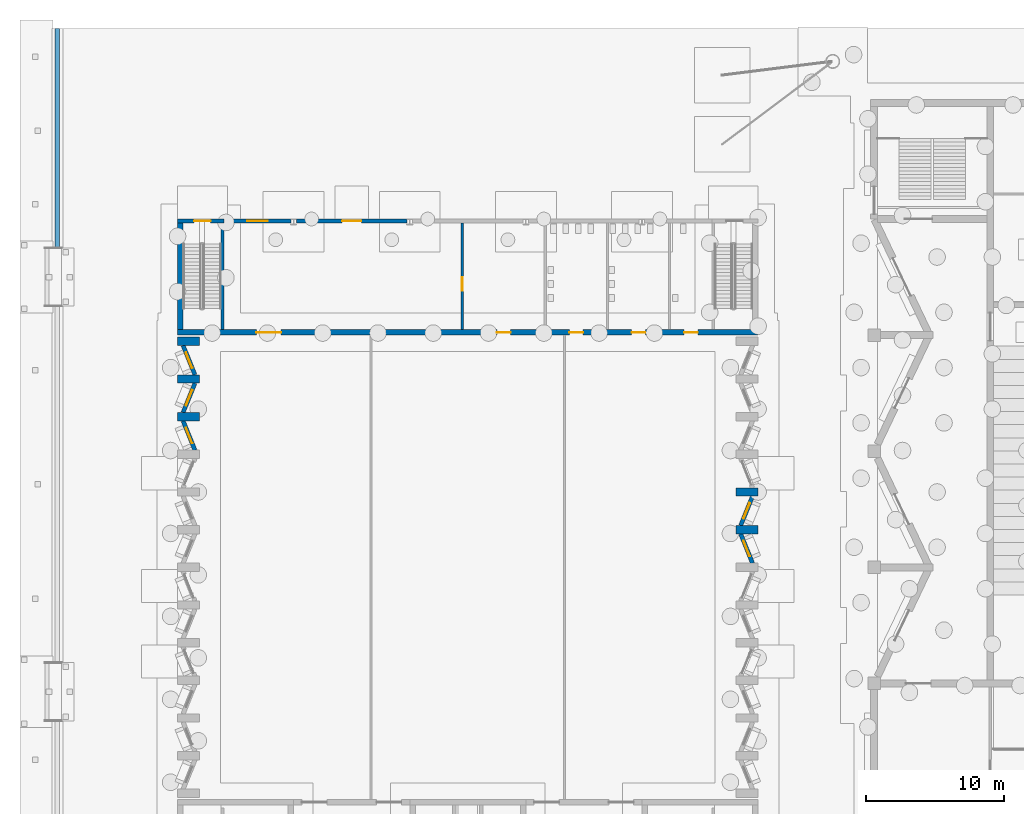
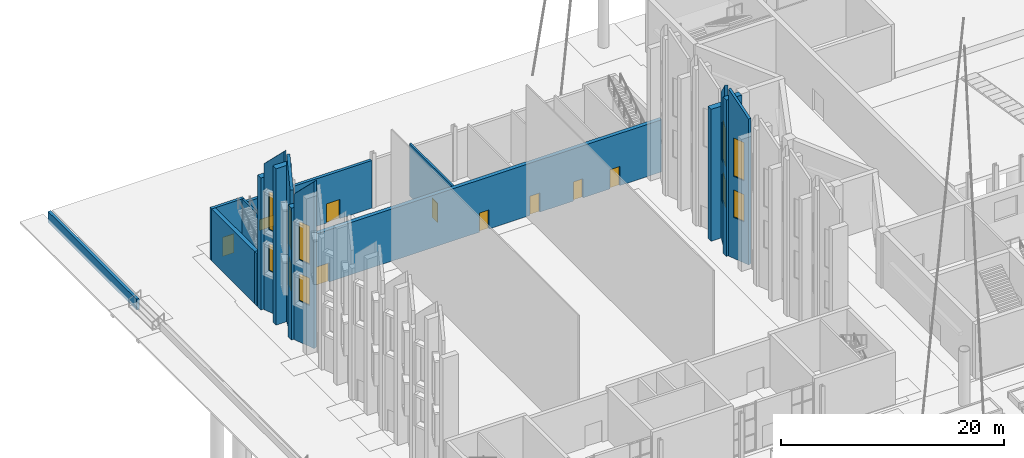
# One storey, part 64 of 108: 18 walls, 11 windows, 8 doors, 19 openings.
"""IFC4 building model written with IfcOpenShell, lengths in metres."""

from ifc_helpers import new_model, si_unit, direction, frame, frame_2d, origin, place, context, subcontext, project, spatial, polyline, rectangle, outline, extrude, material, layer, layer_set, type_object, element, fill, save


model = new_model("IFC4")

# Units and contexts
model_context = context("Model", 3, precision=1e-05, world=origin(), true_north=direction((0.0, 1.0)))
body_context = subcontext(model_context, "Body", "Model", "MODEL_VIEW")
ifc_project = project(units=[si_unit("LENGTHUNIT", "METRE"), si_unit("AREAUNIT", "SQUARE_METRE"), si_unit("VOLUMEUNIT", "CUBIC_METRE"), si_unit("PLANEANGLEUNIT", "RADIAN"), si_unit("MASSUNIT", "GRAM", prefix="KILO")], contexts=[model_context])

# Site, building, storey
site_placement = place(None, origin())
site = spatial("IfcSite", under=ifc_project, at=site_placement, CompositionType="ELEMENT")
building_placement = place(site_placement, origin())
building = spatial("IfcBuilding", under=site, at=building_placement, Name="Cresset Court Congress Hotel", CompositionType="ELEMENT")
storey_placement = place(building_placement, origin())
storey = spatial("IfcBuildingStorey", under=building, at=storey_placement, Name="L00", CompositionType="ELEMENT", Elevation=0.0)

# Wall, opening, door
ifc_material_1 = material(Name="Masonry block and plaster", Category="masonry")
ifc_layer_1 = layer(ifc_material_1, 0.199951171875)
ifc_layer_set_1 = layer_set([ifc_layer_1], Name="Fire partition 200")
wall_type_1 = type_object("IfcWallType", Name="Fire partition 200", PredefinedType="PARTITIONING", material=ifc_layer_set_1)
wall_1_placement = place(storey_placement, frame((29.0, 101.199951171875, 0.0), z_axis=(0.0, 0.0, 1.0), x_axis=(0.0, 1.0, 0.0)))
wall_1 = element("IfcWall", 1, at=wall_1_placement, inside=storey, type_object=wall_type_1, Name="Partition 29", PredefinedType="PARTITIONING", context=body_context, shape_type="SweptSolid", body=[
    extrude(rectangle(XDim=7.699951171875, YDim=0.199951171875, at=frame_2d((3.85009765625, 0.0))), origin(), (0.0, 0.0, 1.0), 5.719970703125),
])
opening_1_placement = place(wall_1_placement, frame((2.800048828125, 0.0, 0.0)))
opening_1 = element("IfcOpeningElement", 2, at=opening_1_placement, cuts=wall_1, Name="Opening DD-00-32", PredefinedType="OPENING", context=body_context, shape_type="SweptSolid", body=[
    extrude(rectangle(XDim=1.0, YDim=2.10009765625, at=frame_2d((0.5, 1.050048828125))), frame((0.0, 0.10986328125, 0.0), z_axis=(0.0, -1.0, 0.0), x_axis=(1.0, 0.0, 0.0)), (0.0, 0.0, 1.0), 0.219970703125),
])
ifc_material_2 = material(Name="Timber door leaf", Category="wood")
door_type_1 = type_object("IfcDoorType", Name="Room door 1000x2100", OperationType="SINGLE_SWING_LEFT", PredefinedType="DOOR", material=ifc_material_2)
door_1_placement = place(opening_1_placement, origin())
door_1 = element("IfcDoor", 3, at=door_1_placement, inside=storey, type_object=door_type_1, Name="Room door DD-00-32", OperationType="SINGLE_SWING_LEFT", OverallHeight=2.10009765625, OverallWidth=1.0, PredefinedType="DOOR", context=body_context, shape_type="SweptSolid", body=[
    extrude(rectangle(XDim=1.0, YDim=2.10009765625, at=frame_2d((0.5, 1.050048828125))), frame((0.0, 0.02490234375, 0.0), z_axis=(0.0, -1.0, 0.0), x_axis=(1.0, 0.0, 0.0)), (0.0, 0.0, 1.0), 0.050048828125),
])
fill(opening_1, door_1)

# Wall
ifc_material_3 = material(Name="Concrete C35", Category="concrete")
ifc_layer_2 = layer(ifc_material_3, 0.300048828125)
ifc_layer_set_2 = layer_set([ifc_layer_2], Name="Plinth wall 300")
wall_type_2 = type_object("IfcWallType", Name="Plinth wall 300", PredefinedType="SOLIDWALL", material=ifc_layer_set_2)
wall_2_placement = place(storey_placement, frame((-0.300048828125, 107.10009765625, -1.199951171875), z_axis=(0.0, 0.0, 1.0), x_axis=(0.0, 1.0, 0.0)))
element("IfcWall", 4, at=wall_2_placement, inside=storey, type_object=wall_type_2, Name="S.wall.L00.PW03", PredefinedType="SOLIDWALL", context=body_context, shape_type="SweptSolid", body=[
    extrude(rectangle(XDim=15.89990234375, YDim=0.300048828125, at=frame_2d((7.949951171875, 0.0))), origin(), (0.0, 0.0, 1.0), 1.199951171875),
])

# Wall, opening, door
ifc_material_4 = material(Name="Precast concrete C50", Category="concrete")
ifc_layer_3 = layer(ifc_material_4, 0.300048828125)
ifc_layer_set_3 = layer_set([ifc_layer_3], Name="Precast external wall 300 C50")
wall_type_3 = type_object("IfcWallType", Name="Precast external wall 300 C50", PredefinedType="SOLIDWALL", material=ifc_layer_set_3)
wall_3_placement = place(storey_placement, frame((8.39990234375, 109.050048828125, 0.0), z_axis=(0.0, 0.0, 1.0), x_axis=(1.0, 0.0, 0.0)))
wall_3 = element("IfcWall", 5, at=wall_3_placement, inside=storey, type_object=wall_type_3, Name="North external wall L00 1", PredefinedType="SOLIDWALL", context=body_context, shape_type="SweptSolid", body=[
    extrude(rectangle(XDim=3.35009765625, YDim=0.300048828125, at=frame_2d((1.675048828125, 0.0))), origin(), (0.0, 0.0, 1.0), 5.719970703125),
])
opening_2_placement = place(wall_3_placement, frame((1.199951171875, 0.0, 0.0)))
opening_2 = element("IfcOpeningElement", 6, at=opening_2_placement, cuts=wall_3, Name="Opening DD-00-03", PredefinedType="OPENING", context=body_context, shape_type="SweptSolid", body=[
    extrude(rectangle(XDim=1.199951171875, YDim=2.10009765625, at=frame_2d((0.60009765625, 1.050048828125))), frame((0.0, 0.159912109375, 0.0), z_axis=(0.0, -1.0, 0.0), x_axis=(1.0, 0.0, 0.0)), (0.0, 0.0, 1.0), 0.320068359375),
])
ifc_material_5 = material(Name="Timber door leaf", Category="wood")
door_type_2 = type_object("IfcDoorType", Name="Exit door 1200x2100", OperationType="SINGLE_SWING_LEFT", PredefinedType="DOOR", material=ifc_material_5)
door_2_placement = place(opening_2_placement, origin())
door_2 = element("IfcDoor", 7, at=door_2_placement, inside=storey, type_object=door_type_2, Name="Exit door DD-00-03", OperationType="SINGLE_SWING_LEFT", OverallHeight=2.10009765625, OverallWidth=1.199951171875, PredefinedType="DOOR", context=body_context, shape_type="SweptSolid", body=[
    extrude(rectangle(XDim=1.199951171875, YDim=2.10009765625, at=frame_2d((0.60009765625, 1.050048828125))), frame((0.0, 0.02490234375, 0.0), z_axis=(0.0, -1.0, 0.0), x_axis=(1.0, 0.0, 0.0)), (0.0, 0.0, 1.0), 0.050048828125),
])
fill(opening_2, door_2)

# Wall, opening, window
wall_4_placement = place(storey_placement, frame((11.75, 109.050048828125, 0.0), z_axis=(0.0, 0.0, 1.0), x_axis=(1.0, 0.0, 0.0)))
wall_4 = element("IfcWall", 8, at=wall_4_placement, inside=storey, type_object=wall_type_3, Name="North external wall L00 2", PredefinedType="SOLIDWALL", context=body_context, shape_type="SweptSolid", body=[
    extrude(rectangle(XDim=4.85009765625, YDim=0.300048828125, at=frame_2d((2.425048828125, 0.0))), origin(), (0.0, 0.0, 1.0), 5.219970703125),
])
opening_3_placement = place(wall_4_placement, frame((1.675048828125, 0.0, 1.5)))
opening_3 = element("IfcOpeningElement", 9, at=opening_3_placement, cuts=wall_4, Name="Opening ND-00-01", PredefinedType="OPENING", context=body_context, shape_type="SweptSolid", body=[
    extrude(rectangle(XDim=1.5, YDim=1.199951171875, at=frame_2d((0.75, 0.60009765625))), frame((0.0, 0.159912109375, 0.0), z_axis=(0.0, -1.0, 0.0), x_axis=(1.0, 0.0, 0.0)), (0.0, 0.0, 1.0), 0.320068359375),
])
ifc_material_6 = material(Name="Aluminium frame with insulated glass", Category="aluminium")
window_type_1 = type_object("IfcWindowType", Name="Window 1500x1200", PartitioningType="SINGLE_PANEL", PredefinedType="WINDOW", material=ifc_material_6)
window_1_placement = place(opening_3_placement, origin())
window_1 = element("IfcWindow", 10, at=window_1_placement, inside=storey, type_object=window_type_1, Name="Window ND-00-01", OverallHeight=1.199951171875, OverallWidth=1.5, PartitioningType="SINGLE_PANEL", PredefinedType="WINDOW", context=body_context, shape_type="SweptSolid", body=[
    extrude(rectangle(XDim=1.5, YDim=1.199951171875, at=frame_2d((0.75, 0.60009765625))), frame((0.0, 0.030029296875, 0.0), z_axis=(0.0, -1.0, 0.0), x_axis=(1.0, 0.0, 0.0)), (0.0, 0.0, 1.0), 0.06005859375),
])
fill(opening_3, window_1)

# Wall, opening, door
wall_5_placement = place(storey_placement, frame((17.0, 109.050048828125, 0.0), z_axis=(0.0, 0.0, 1.0), x_axis=(1.0, 0.0, 0.0)))
wall_5 = element("IfcWall", 11, at=wall_5_placement, inside=storey, type_object=wall_type_3, Name="North external wall L00 3", PredefinedType="SOLIDWALL", context=body_context, shape_type="SweptSolid", body=[
    extrude(rectangle(XDim=8.0, YDim=0.300048828125, at=frame_2d((4.0, 0.0))), origin(), (0.0, 0.0, 1.0), 5.219970703125),
])
opening_4_placement = place(wall_5_placement, frame((3.300048828125, 0.0, 0.0)))
opening_4 = element("IfcOpeningElement", 12, at=opening_4_placement, cuts=wall_5, Name="Opening DD-00-04", PredefinedType="OPENING", context=body_context, shape_type="SweptSolid", body=[
    extrude(rectangle(XDim=1.39990234375, YDim=2.10009765625, at=frame_2d((0.699951171875, 1.050048828125))), frame((0.0, 0.159912109375, 0.0), z_axis=(0.0, -1.0, 0.0), x_axis=(1.0, 0.0, 0.0)), (0.0, 0.0, 1.0), 0.320068359375),
])
ifc_material_7 = material(Name="Timber door leaf", Category="wood")
door_type_3 = type_object("IfcDoorType", Name="Service double door 1400x2100", OperationType="DOUBLE_DOOR_SINGLE_SWING", PredefinedType="DOOR", material=ifc_material_7)
door_3_placement = place(opening_4_placement, origin())
door_3 = element("IfcDoor", 13, at=door_3_placement, inside=storey, type_object=door_type_3, Name="Service double door DD-00-04", OperationType="DOUBLE_DOOR_SINGLE_SWING", OverallHeight=2.10009765625, OverallWidth=1.39990234375, PredefinedType="DOOR", context=body_context, shape_type="SweptSolid", body=[
    extrude(rectangle(XDim=1.39990234375, YDim=2.10009765625, at=frame_2d((0.699951171875, 1.050048828125))), frame((0.0, 0.02490234375, 0.0), z_axis=(0.0, -1.0, 0.0), x_axis=(1.0, 0.0, 0.0)), (0.0, 0.0, 1.0), 0.050048828125),
])
fill(opening_4, door_3)

# Wall, openings, windows
ifc_material_8 = material(Name="Limestone-faced precast concrete C50", Category="masonry")
ifc_layer_4 = layer(ifc_material_8, 0.300048828125)
ifc_layer_set_4 = layer_set([ifc_layer_4], Name="Precast folded wall panel 300 C50")
wall_type_4 = type_object("IfcWallType", Name="Precast folded wall panel 300 C50", PredefinedType="SOLIDWALL", material=ifc_layer_set_4)
wall_6_placement = place(storey_placement, frame((9.65869140625, 92.47509765625, 0.0), z_axis=(0.0, 0.0, 1.0), x_axis=(-0.37463916886, 0.927170692567, 0.0)))
wall_6 = element("IfcWall", 14, at=wall_6_placement, inside=storey, type_object=wall_type_4, Name="Folded wall panel W10", PredefinedType="SOLIDWALL", context=body_context, shape_type="SweptSolid", body=[
    extrude(outline(polyline([(0.0, 0.0), (2.2919921875, 0.0), (2.2919921875, 15.972900390625), (0.0, 18.312255859375), (0.0, 0.0)])), frame((0.0, 0.14990234375, 0.0), z_axis=(0.0, -1.0, 0.0), x_axis=(1.0, 0.0, 0.0)), (0.0, 0.0, 1.0), 0.300048828125),
])
opening_5_placement = place(wall_6_placement, frame((0.5458984375, 0.0, 4.5)))
opening_5 = element("IfcOpeningElement", 15, at=opening_5_placement, cuts=wall_6, Name="Opening ND-00-17", PredefinedType="OPENING", context=body_context, shape_type="SweptSolid", body=[
    extrude(rectangle(XDim=1.199951171875, YDim=3.0, at=frame_2d((0.60009765625, 1.5))), frame((0.0, 0.159912109375, 0.0), z_axis=(0.0, -1.0, 0.0), x_axis=(1.0, 0.0, 0.0)), (0.0, 0.0, 1.0), 0.320068359375),
])
opening_6_placement = place(wall_6_placement, frame((0.5458984375, 0.0, 9.0)))
opening_6 = element("IfcOpeningElement", 16, at=opening_6_placement, cuts=wall_6, Name="Opening ND-00-18", PredefinedType="OPENING", context=body_context, shape_type="SweptSolid", body=[
    extrude(rectangle(XDim=1.199951171875, YDim=4.199951171875, at=frame_2d((0.60009765625, 2.10009765625))), frame((0.0, 0.159912109375, 0.0), z_axis=(0.0, -1.0, 0.0), x_axis=(1.0, 0.0, 0.0)), (0.0, 0.0, 1.0), 0.320068359375),
])
ifc_material_9 = material(Name="Aluminium frame with double glazing", Category="aluminium")
window_type_2 = type_object("IfcWindowType", Name="Window 1200x3000", PartitioningType="TRIPLE_PANEL_VERTICAL", PredefinedType="WINDOW", material=ifc_material_9)
window_2_placement = place(opening_5_placement, origin())
window_2 = element("IfcWindow", 17, at=window_2_placement, inside=storey, type_object=window_type_2, Name="Window ND-00-17", OverallHeight=3.0, OverallWidth=1.199951171875, PartitioningType="TRIPLE_PANEL_VERTICAL", PredefinedType="WINDOW", context=body_context, shape_type="SweptSolid", body=[
    extrude(rectangle(XDim=1.199951171875, YDim=3.0, at=frame_2d((0.60009765625, 1.5))), frame((0.0, 0.030029296875, 0.0), z_axis=(0.0, -1.0, 0.0), x_axis=(1.0, 0.0, 0.0)), (0.0, 0.0, 1.0), 0.06005859375),
])
fill(opening_5, window_2)
ifc_material_10 = material(Name="Aluminium frame with double glazing", Category="aluminium")
window_type_3 = type_object("IfcWindowType", Name="Window 1200x4200", PartitioningType="TRIPLE_PANEL_VERTICAL", PredefinedType="WINDOW", material=ifc_material_10)
window_3_placement = place(opening_6_placement, origin())
window_3 = element("IfcWindow", 18, at=window_3_placement, inside=storey, type_object=window_type_3, Name="Window ND-00-18", OverallHeight=4.199951171875, OverallWidth=1.199951171875, PartitioningType="TRIPLE_PANEL_VERTICAL", PredefinedType="WINDOW", context=body_context, shape_type="SweptSolid", body=[
    extrude(rectangle(XDim=1.199951171875, YDim=4.199951171875, at=frame_2d((0.60009765625, 2.10009765625))), frame((0.0, 0.030029296875, 0.0), z_axis=(0.0, -1.0, 0.0), x_axis=(1.0, 0.0, 0.0)), (0.0, 0.0, 1.0), 0.06005859375),
])
fill(opening_6, window_3)

wall_7_placement = place(storey_placement, frame((8.800048828125, 95.199951171875, 0.0), z_axis=(0.0, 0.0, 1.0), x_axis=(0.37463916886, 0.927170692567, 0.0)))
wall_7 = element("IfcWall", 19, at=wall_7_placement, inside=storey, type_object=wall_type_4, Name="Folded wall panel W11", PredefinedType="SOLIDWALL", context=body_context, shape_type="SweptSolid", body=[
    extrude(outline(polyline([(0.0, 0.0), (2.2919921875, 0.0), (2.2919921875, 18.312255859375), (0.0, 15.972900390625), (0.0, 0.0)])), frame((0.0, 0.14990234375, 0.0), z_axis=(0.0, -1.0, 0.0), x_axis=(1.0, 0.0, 0.0)), (0.0, 0.0, 1.0), 0.300048828125),
])
opening_7_placement = place(wall_7_placement, frame((0.5458984375, 0.0, 4.5)))
opening_7 = element("IfcOpeningElement", 20, at=opening_7_placement, cuts=wall_7, Name="Opening ND-00-19", PredefinedType="OPENING", context=body_context, shape_type="SweptSolid", body=[
    extrude(rectangle(XDim=1.199951171875, YDim=3.0, at=frame_2d((0.60009765625, 1.5))), frame((0.0, 0.159912109375, 0.0), z_axis=(0.0, -1.0, 0.0), x_axis=(1.0, 0.0, 0.0)), (0.0, 0.0, 1.0), 0.320068359375),
])
opening_8_placement = place(wall_7_placement, frame((0.5458984375, 0.0, 9.0)))
opening_8 = element("IfcOpeningElement", 21, at=opening_8_placement, cuts=wall_7, Name="Opening ND-00-20", PredefinedType="OPENING", context=body_context, shape_type="SweptSolid", body=[
    extrude(rectangle(XDim=1.199951171875, YDim=4.199951171875, at=frame_2d((0.60009765625, 2.10009765625))), frame((0.0, 0.159912109375, 0.0), z_axis=(0.0, -1.0, 0.0), x_axis=(1.0, 0.0, 0.0)), (0.0, 0.0, 1.0), 0.320068359375),
])
window_4_placement = place(opening_7_placement, origin())
window_4 = element("IfcWindow", 22, at=window_4_placement, inside=storey, type_object=window_type_2, Name="Window ND-00-19", OverallHeight=3.0, OverallWidth=1.199951171875, PartitioningType="TRIPLE_PANEL_VERTICAL", PredefinedType="WINDOW", context=body_context, shape_type="SweptSolid", body=[
    extrude(rectangle(XDim=1.199951171875, YDim=3.0, at=frame_2d((0.60009765625, 1.5))), frame((0.0, 0.030029296875, 0.0), z_axis=(0.0, -1.0, 0.0), x_axis=(1.0, 0.0, 0.0)), (0.0, 0.0, 1.0), 0.06005859375),
])
fill(opening_7, window_4)
window_5_placement = place(opening_8_placement, origin())
window_5 = element("IfcWindow", 23, at=window_5_placement, inside=storey, type_object=window_type_3, Name="Window ND-00-20", OverallHeight=4.199951171875, OverallWidth=1.199951171875, PartitioningType="TRIPLE_PANEL_VERTICAL", PredefinedType="WINDOW", context=body_context, shape_type="SweptSolid", body=[
    extrude(rectangle(XDim=1.199951171875, YDim=4.199951171875, at=frame_2d((0.60009765625, 2.10009765625))), frame((0.0, 0.030029296875, 0.0), z_axis=(0.0, -1.0, 0.0), x_axis=(1.0, 0.0, 0.0)), (0.0, 0.0, 1.0), 0.06005859375),
])
fill(opening_8, window_5)

wall_8_placement = place(storey_placement, frame((9.65869140625, 97.925048828125, 0.0), z_axis=(0.0, 0.0, 1.0), x_axis=(-0.37463916886, 0.927170692567, 0.0)))
wall_8 = element("IfcWall", 24, at=wall_8_placement, inside=storey, type_object=wall_type_4, Name="Folded wall panel W12", PredefinedType="SOLIDWALL", context=body_context, shape_type="SweptSolid", body=[
    extrude(outline(polyline([(0.0, 0.0), (2.2919921875, 0.0), (2.2919921875, 15.972900390625), (0.0, 18.312255859375), (0.0, 0.0)])), frame((0.0, 0.14990234375, 0.0), z_axis=(0.0, -1.0, 0.0), x_axis=(1.0, 0.0, 0.0)), (0.0, 0.0, 1.0), 0.300048828125),
])
opening_9_placement = place(wall_8_placement, frame((0.5458984375, 0.0, 4.5)))
opening_9 = element("IfcOpeningElement", 25, at=opening_9_placement, cuts=wall_8, Name="Opening ND-00-21", PredefinedType="OPENING", context=body_context, shape_type="SweptSolid", body=[
    extrude(rectangle(XDim=1.199951171875, YDim=3.0, at=frame_2d((0.60009765625, 1.5))), frame((0.0, 0.159912109375, 0.0), z_axis=(0.0, -1.0, 0.0), x_axis=(1.0, 0.0, 0.0)), (0.0, 0.0, 1.0), 0.320068359375),
])
opening_10_placement = place(wall_8_placement, frame((0.5458984375, 0.0, 9.0)))
opening_10 = element("IfcOpeningElement", 26, at=opening_10_placement, cuts=wall_8, Name="Opening ND-00-22", PredefinedType="OPENING", context=body_context, shape_type="SweptSolid", body=[
    extrude(rectangle(XDim=1.199951171875, YDim=4.199951171875, at=frame_2d((0.60009765625, 2.10009765625))), frame((0.0, 0.159912109375, 0.0), z_axis=(0.0, -1.0, 0.0), x_axis=(1.0, 0.0, 0.0)), (0.0, 0.0, 1.0), 0.320068359375),
])
window_6_placement = place(opening_9_placement, origin())
window_6 = element("IfcWindow", 27, at=window_6_placement, inside=storey, type_object=window_type_2, Name="Window ND-00-21", OverallHeight=3.0, OverallWidth=1.199951171875, PartitioningType="TRIPLE_PANEL_VERTICAL", PredefinedType="WINDOW", context=body_context, shape_type="SweptSolid", body=[
    extrude(rectangle(XDim=1.199951171875, YDim=3.0, at=frame_2d((0.60009765625, 1.5))), frame((0.0, 0.030029296875, 0.0), z_axis=(0.0, -1.0, 0.0), x_axis=(1.0, 0.0, 0.0)), (0.0, 0.0, 1.0), 0.06005859375),
])
fill(opening_9, window_6)
window_7_placement = place(opening_10_placement, origin())
window_7 = element("IfcWindow", 28, at=window_7_placement, inside=storey, type_object=window_type_3, Name="Window ND-00-22", OverallHeight=4.199951171875, OverallWidth=1.199951171875, PartitioningType="TRIPLE_PANEL_VERTICAL", PredefinedType="WINDOW", context=body_context, shape_type="SweptSolid", body=[
    extrude(rectangle(XDim=1.199951171875, YDim=4.199951171875, at=frame_2d((0.60009765625, 2.10009765625))), frame((0.0, 0.030029296875, 0.0), z_axis=(0.0, -1.0, 0.0), x_axis=(1.0, 0.0, 0.0)), (0.0, 0.0, 1.0), 0.06005859375),
])
fill(opening_10, window_7)

wall_9_placement = place(storey_placement, frame((50.0, 84.300048828125, 0.0), z_axis=(0.0, 0.0, 1.0), x_axis=(-0.37463916886, 0.927170692567, 0.0)))
wall_9 = element("IfcWall", 29, at=wall_9_placement, inside=storey, type_object=wall_type_4, Name="Folded wall panel E7", PredefinedType="SOLIDWALL", context=body_context, shape_type="SweptSolid", body=[
    extrude(outline(polyline([(0.0, 0.0), (2.2919921875, 0.0), (2.2919921875, 18.312255859375), (0.0, 15.972900390625), (0.0, 0.0)])), frame((0.0, 0.14990234375, 0.0), z_axis=(0.0, -1.0, 0.0), x_axis=(1.0, 0.0, 0.0)), (0.0, 0.0, 1.0), 0.300048828125),
])
opening_11_placement = place(wall_9_placement, frame((0.5458984375, 0.0, 4.5)))
opening_11 = element("IfcOpeningElement", 30, at=opening_11_placement, cuts=wall_9, Name="Opening ND-00-33", PredefinedType="OPENING", context=body_context, shape_type="SweptSolid", body=[
    extrude(rectangle(XDim=1.199951171875, YDim=3.0, at=frame_2d((0.60009765625, 1.5))), frame((0.0, 0.159912109375, 0.0), z_axis=(0.0, -1.0, 0.0), x_axis=(1.0, 0.0, 0.0)), (0.0, 0.0, 1.0), 0.320068359375),
])
opening_12_placement = place(wall_9_placement, frame((0.5458984375, 0.0, 9.0)))
opening_12 = element("IfcOpeningElement", 31, at=opening_12_placement, cuts=wall_9, Name="Opening ND-00-34", PredefinedType="OPENING", context=body_context, shape_type="SweptSolid", body=[
    extrude(rectangle(XDim=1.199951171875, YDim=4.199951171875, at=frame_2d((0.60009765625, 2.10009765625))), frame((0.0, 0.159912109375, 0.0), z_axis=(0.0, -1.0, 0.0), x_axis=(1.0, 0.0, 0.0)), (0.0, 0.0, 1.0), 0.320068359375),
])
window_8_placement = place(opening_11_placement, origin())
window_8 = element("IfcWindow", 32, at=window_8_placement, inside=storey, type_object=window_type_2, Name="Window ND-00-33", OverallHeight=3.0, OverallWidth=1.199951171875, PartitioningType="TRIPLE_PANEL_VERTICAL", PredefinedType="WINDOW", context=body_context, shape_type="SweptSolid", body=[
    extrude(rectangle(XDim=1.199951171875, YDim=3.0, at=frame_2d((0.60009765625, 1.5))), frame((0.0, 0.030029296875, 0.0), z_axis=(0.0, -1.0, 0.0), x_axis=(1.0, 0.0, 0.0)), (0.0, 0.0, 1.0), 0.06005859375),
])
fill(opening_11, window_8)
window_9_placement = place(opening_12_placement, origin())
window_9 = element("IfcWindow", 33, at=window_9_placement, inside=storey, type_object=window_type_3, Name="Window ND-00-34", OverallHeight=4.199951171875, OverallWidth=1.199951171875, PartitioningType="TRIPLE_PANEL_VERTICAL", PredefinedType="WINDOW", context=body_context, shape_type="SweptSolid", body=[
    extrude(rectangle(XDim=1.199951171875, YDim=4.199951171875, at=frame_2d((0.60009765625, 2.10009765625))), frame((0.0, 0.030029296875, 0.0), z_axis=(0.0, -1.0, 0.0), x_axis=(1.0, 0.0, 0.0)), (0.0, 0.0, 1.0), 0.06005859375),
])
fill(opening_12, window_9)

wall_10_placement = place(storey_placement, frame((49.141357421875, 87.02490234375, 0.0), z_axis=(0.0, 0.0, 1.0), x_axis=(0.37463916886, 0.927170692567, 0.0)))
wall_10 = element("IfcWall", 34, at=wall_10_placement, inside=storey, type_object=wall_type_4, Name="Folded wall panel E8", PredefinedType="SOLIDWALL", context=body_context, shape_type="SweptSolid", body=[
    extrude(outline(polyline([(0.0, 0.0), (2.2919921875, 0.0), (2.2919921875, 15.972900390625), (0.0, 18.312255859375), (0.0, 0.0)])), frame((0.0, 0.14990234375, 0.0), z_axis=(0.0, -1.0, 0.0), x_axis=(1.0, 0.0, 0.0)), (0.0, 0.0, 1.0), 0.300048828125),
])
opening_13_placement = place(wall_10_placement, frame((0.5458984375, 0.0, 4.5)))
opening_13 = element("IfcOpeningElement", 35, at=opening_13_placement, cuts=wall_10, Name="Opening ND-00-35", PredefinedType="OPENING", context=body_context, shape_type="SweptSolid", body=[
    extrude(rectangle(XDim=1.199951171875, YDim=3.0, at=frame_2d((0.60009765625, 1.5))), frame((0.0, 0.159912109375, 0.0), z_axis=(0.0, -1.0, 0.0), x_axis=(1.0, 0.0, 0.0)), (0.0, 0.0, 1.0), 0.320068359375),
])
opening_14_placement = place(wall_10_placement, frame((0.5458984375, 0.0, 9.0)))
opening_14 = element("IfcOpeningElement", 36, at=opening_14_placement, cuts=wall_10, Name="Opening ND-00-36", PredefinedType="OPENING", context=body_context, shape_type="SweptSolid", body=[
    extrude(rectangle(XDim=1.199951171875, YDim=4.199951171875, at=frame_2d((0.60009765625, 2.10009765625))), frame((0.0, 0.159912109375, 0.0), z_axis=(0.0, -1.0, 0.0), x_axis=(1.0, 0.0, 0.0)), (0.0, 0.0, 1.0), 0.320068359375),
])
window_10_placement = place(opening_13_placement, origin())
window_10 = element("IfcWindow", 37, at=window_10_placement, inside=storey, type_object=window_type_2, Name="Window ND-00-35", OverallHeight=3.0, OverallWidth=1.199951171875, PartitioningType="TRIPLE_PANEL_VERTICAL", PredefinedType="WINDOW", context=body_context, shape_type="SweptSolid", body=[
    extrude(rectangle(XDim=1.199951171875, YDim=3.0, at=frame_2d((0.60009765625, 1.5))), frame((0.0, 0.030029296875, 0.0), z_axis=(0.0, -1.0, 0.0), x_axis=(1.0, 0.0, 0.0)), (0.0, 0.0, 1.0), 0.06005859375),
])
fill(opening_13, window_10)
window_11_placement = place(opening_14_placement, origin())
window_11 = element("IfcWindow", 38, at=window_11_placement, inside=storey, type_object=window_type_3, Name="Window ND-00-36", OverallHeight=4.199951171875, OverallWidth=1.199951171875, PartitioningType="TRIPLE_PANEL_VERTICAL", PredefinedType="WINDOW", context=body_context, shape_type="SweptSolid", body=[
    extrude(rectangle(XDim=1.199951171875, YDim=4.199951171875, at=frame_2d((0.60009765625, 2.10009765625))), frame((0.0, 0.030029296875, 0.0), z_axis=(0.0, -1.0, 0.0), x_axis=(1.0, 0.0, 0.0)), (0.0, 0.0, 1.0), 0.06005859375),
])
fill(opening_14, window_11)

# Walls
ifc_material_11 = material(Name="Concrete C40", Category="concrete")
ifc_layer_5 = layer(ifc_material_11, 0.60009765625)
ifc_layer_set_5 = layer_set([ifc_layer_5], Name="RC buttress wall 600 C40")
wall_type_5 = type_object("IfcWallType", Name="RC buttress wall 600 C40", PredefinedType="SOLIDWALL", material=ifc_layer_set_5)
wall_11_placement = place(storey_placement, frame((8.39990234375, 94.89990234375, 0.0), z_axis=(0.0, 0.0, 1.0), x_axis=(1.0, 0.0, 0.0)))
element("IfcWall", 39, at=wall_11_placement, inside=storey, type_object=wall_type_5, Name="Buttress W11", PredefinedType="SOLIDWALL", context=body_context, shape_type="SweptSolid", body=[
    extrude(rectangle(XDim=1.60009765625, YDim=0.60009765625, at=frame_2d((0.800048828125, 0.0))), origin(), (0.0, 0.0, 1.0), 14.466796875),
])
wall_12_placement = place(storey_placement, frame((8.39990234375, 97.625, 0.0), z_axis=(0.0, 0.0, 1.0), x_axis=(1.0, 0.0, 0.0)))
element("IfcWall", 40, at=wall_12_placement, inside=storey, type_object=wall_type_5, Name="Buttress W12", PredefinedType="SOLIDWALL", context=body_context, shape_type="SweptSolid", body=[
    extrude(rectangle(XDim=1.60009765625, YDim=0.60009765625, at=frame_2d((0.800048828125, 0.0))), origin(), (0.0, 0.0, 1.0), 17.136474609375),
])
wall_13_placement = place(storey_placement, frame((8.39990234375, 100.35009765625, 0.0), z_axis=(0.0, 0.0, 1.0), x_axis=(1.0, 0.0, 0.0)))
element("IfcWall", 41, at=wall_13_placement, inside=storey, type_object=wall_type_5, Name="Buttress W13", PredefinedType="SOLIDWALL", context=body_context, shape_type="SweptSolid", body=[
    extrude(rectangle(XDim=1.60009765625, YDim=0.60009765625, at=frame_2d((0.800048828125, 0.0))), origin(), (0.0, 0.0, 1.0), 14.466796875),
])
wall_14_placement = place(storey_placement, frame((50.39990234375, 86.72509765625, 0.0), z_axis=(0.0, 0.0, 1.0), x_axis=(-1.0, 0.0, 0.0)))
element("IfcWall", 42, at=wall_14_placement, inside=storey, type_object=wall_type_5, Name="Buttress E8", PredefinedType="SOLIDWALL", context=body_context, shape_type="SweptSolid", body=[
    extrude(rectangle(XDim=1.599853515625, YDim=0.60009765625, at=frame_2d((0.7998046875, 0.0))), origin(), (0.0, 0.0, 1.0), 17.136474609375),
])
wall_15_placement = place(storey_placement, frame((50.39990234375, 89.449951171875, 0.0), z_axis=(0.0, 0.0, 1.0), x_axis=(-1.0, 0.0, 0.0)))
element("IfcWall", 43, at=wall_15_placement, inside=storey, type_object=wall_type_5, Name="Buttress E9", PredefinedType="SOLIDWALL", context=body_context, shape_type="SweptSolid", body=[
    extrude(rectangle(XDim=1.599853515625, YDim=0.60009765625, at=frame_2d((0.7998046875, 0.0))), origin(), (0.0, 0.0, 1.0), 14.466796875),
])
ifc_material_12 = material(Name="Concrete C50", Category="concrete")
ifc_layer_6 = layer(ifc_material_12, 0.39990234375)
ifc_layer_set_6 = layer_set([ifc_layer_6], Name="RC core wall 400 C50 external")
wall_type_6 = type_object("IfcWallType", Name="RC core wall 400 C50 external", PredefinedType="SOLIDWALL", material=ifc_layer_set_6)
wall_16_placement = place(storey_placement, frame((8.60009765625, 101.199951171875, 0.0), z_axis=(0.0, 0.0, 1.0), x_axis=(0.0, 1.0, 0.0)))
element("IfcWall", 44, at=wall_16_placement, inside=storey, type_object=wall_type_6, Name="Service stair W outer wall", PredefinedType="SOLIDWALL", context=body_context, shape_type="SweptSolid", body=[
    extrude(rectangle(XDim=7.699951171875, YDim=0.39990234375, at=frame_2d((3.85009765625, 0.0))), origin(), (0.0, 0.0, 1.0), 5.719970703125),
])

# Wall, openings, doors
ifc_material_13 = material(Name="Concrete C40", Category="concrete")
ifc_layer_7 = layer(ifc_material_13, 0.39990234375)
ifc_layer_set_7 = layer_set([ifc_layer_7], Name="RC hall wall 400 C40")
wall_type_7 = type_object("IfcWallType", Name="RC hall wall 400 C40", PredefinedType="SOLIDWALL", material=ifc_layer_set_7)
wall_17_placement = place(storey_placement, frame((8.39990234375, 101.0, 0.0), z_axis=(0.0, 0.0, 1.0), x_axis=(1.0, 0.0, 0.0)))
wall_17 = element("IfcWall", 45, at=wall_17_placement, inside=storey, type_object=wall_type_7, Name="Hall north wall L00", PredefinedType="SOLIDWALL", context=body_context, shape_type="SweptSolid", body=[
    extrude(rectangle(XDim=42.0, YDim=0.39990234375, at=frame_2d((21.0, 0.0))), origin(), (0.0, 0.0, 1.0), 5.719970703125),
])
opening_15_placement = place(wall_17_placement, frame((5.699951171875, 0.0, 0.0)))
opening_15 = element("IfcOpeningElement", 46, at=opening_15_placement, cuts=wall_17, Name="Opening DD-00-27", PredefinedType="OPENING", context=body_context, shape_type="SweptSolid", body=[
    extrude(rectangle(XDim=1.800048828125, YDim=2.10009765625, at=frame_2d((0.89990234375, 1.050048828125))), frame((0.0, 0.2099609375, 0.0), z_axis=(0.0, -1.0, 0.0), x_axis=(1.0, 0.0, 0.0)), (0.0, 0.0, 1.0), 0.419921875),
])
opening_16_placement = place(wall_17_placement, frame((23.10009765625, 0.0, 0.0)))
opening_16 = element("IfcOpeningElement", 47, at=opening_16_placement, cuts=wall_17, Name="Opening DD-00-28", PredefinedType="OPENING", context=body_context, shape_type="SweptSolid", body=[
    extrude(rectangle(XDim=1.0, YDim=2.10009765625, at=frame_2d((0.5, 1.050048828125))), frame((0.0, 0.2099609375, 0.0), z_axis=(0.0, -1.0, 0.0), x_axis=(1.0, 0.0, 0.0)), (0.0, 0.0, 1.0), 0.419921875),
])
opening_17_placement = place(wall_17_placement, frame((28.35009765625, 0.0, 0.0)))
opening_17 = element("IfcOpeningElement", 48, at=opening_17_placement, cuts=wall_17, Name="Opening DD-00-29", PredefinedType="OPENING", context=body_context, shape_type="SweptSolid", body=[
    extrude(rectangle(XDim=1.0, YDim=2.10009765625, at=frame_2d((0.5, 1.050048828125))), frame((0.0, 0.2099609375, 0.0), z_axis=(0.0, -1.0, 0.0), x_axis=(1.0, 0.0, 0.0)), (0.0, 0.0, 1.0), 0.419921875),
])
opening_18_placement = place(wall_17_placement, frame((32.85009765625, 0.0, 0.0)))
opening_18 = element("IfcOpeningElement", 49, at=opening_18_placement, cuts=wall_17, Name="Opening DD-00-30", PredefinedType="OPENING", context=body_context, shape_type="SweptSolid", body=[
    extrude(rectangle(XDim=1.0, YDim=2.10009765625, at=frame_2d((0.5, 1.050048828125))), frame((0.0, 0.2099609375, 0.0), z_axis=(0.0, -1.0, 0.0), x_axis=(1.0, 0.0, 0.0)), (0.0, 0.0, 1.0), 0.419921875),
])
opening_19_placement = place(wall_17_placement, frame((36.64990234375, 0.0, 0.0)))
opening_19 = element("IfcOpeningElement", 50, at=opening_19_placement, cuts=wall_17, Name="Opening DD-00-31", PredefinedType="OPENING", context=body_context, shape_type="SweptSolid", body=[
    extrude(rectangle(XDim=1.0, YDim=2.10009765625, at=frame_2d((0.5, 1.050048828125))), frame((0.0, 0.2099609375, 0.0), z_axis=(0.0, -1.0, 0.0), x_axis=(1.0, 0.0, 0.0)), (0.0, 0.0, 1.0), 0.419921875),
])
ifc_material_14 = material(Name="Timber door leaf", Category="wood")
door_type_4 = type_object("IfcDoorType", Name="Kitchen double door 1800x2100", OperationType="DOUBLE_DOOR_SINGLE_SWING", PredefinedType="DOOR", material=ifc_material_14)
door_4_placement = place(opening_15_placement, origin())
door_4 = element("IfcDoor", 51, at=door_4_placement, inside=storey, type_object=door_type_4, Name="Kitchen double door DD-00-27", OperationType="DOUBLE_DOOR_SINGLE_SWING", OverallHeight=2.10009765625, OverallWidth=1.800048828125, PredefinedType="DOOR", context=body_context, shape_type="SweptSolid", body=[
    extrude(rectangle(XDim=1.800048828125, YDim=2.10009765625, at=frame_2d((0.89990234375, 1.050048828125))), frame((0.0, 0.02490234375, 0.0), z_axis=(0.0, -1.0, 0.0), x_axis=(1.0, 0.0, 0.0)), (0.0, 0.0, 1.0), 0.050048828125),
])
fill(opening_15, door_4)
door_5_placement = place(opening_16_placement, origin())
door_5 = element("IfcDoor", 52, at=door_5_placement, inside=storey, type_object=door_type_1, Name="Room door DD-00-28", OperationType="SINGLE_SWING_LEFT", OverallHeight=2.10009765625, OverallWidth=1.0, PredefinedType="DOOR", context=body_context, shape_type="SweptSolid", body=[
    extrude(rectangle(XDim=1.0, YDim=2.10009765625, at=frame_2d((0.5, 1.050048828125))), frame((0.0, 0.02490234375, 0.0), z_axis=(0.0, -1.0, 0.0), x_axis=(1.0, 0.0, 0.0)), (0.0, 0.0, 1.0), 0.050048828125),
])
fill(opening_16, door_5)
door_6_placement = place(opening_17_placement, origin())
door_6 = element("IfcDoor", 53, at=door_6_placement, inside=storey, type_object=door_type_1, Name="Room door DD-00-29", OperationType="SINGLE_SWING_LEFT", OverallHeight=2.10009765625, OverallWidth=1.0, PredefinedType="DOOR", context=body_context, shape_type="SweptSolid", body=[
    extrude(rectangle(XDim=1.0, YDim=2.10009765625, at=frame_2d((0.5, 1.050048828125))), frame((0.0, 0.02490234375, 0.0), z_axis=(0.0, -1.0, 0.0), x_axis=(1.0, 0.0, 0.0)), (0.0, 0.0, 1.0), 0.050048828125),
])
fill(opening_17, door_6)
door_7_placement = place(opening_18_placement, origin())
door_7 = element("IfcDoor", 54, at=door_7_placement, inside=storey, type_object=door_type_1, Name="Room door DD-00-30", OperationType="SINGLE_SWING_LEFT", OverallHeight=2.10009765625, OverallWidth=1.0, PredefinedType="DOOR", context=body_context, shape_type="SweptSolid", body=[
    extrude(rectangle(XDim=1.0, YDim=2.10009765625, at=frame_2d((0.5, 1.050048828125))), frame((0.0, 0.02490234375, 0.0), z_axis=(0.0, -1.0, 0.0), x_axis=(1.0, 0.0, 0.0)), (0.0, 0.0, 1.0), 0.050048828125),
])
fill(opening_18, door_7)
door_8_placement = place(opening_19_placement, origin())
door_8 = element("IfcDoor", 55, at=door_8_placement, inside=storey, type_object=door_type_1, Name="Room door DD-00-31", OperationType="SINGLE_SWING_LEFT", OverallHeight=2.10009765625, OverallWidth=1.0, PredefinedType="DOOR", context=body_context, shape_type="SweptSolid", body=[
    extrude(rectangle(XDim=1.0, YDim=2.10009765625, at=frame_2d((0.5, 1.050048828125))), frame((0.0, 0.02490234375, 0.0), z_axis=(0.0, -1.0, 0.0), x_axis=(1.0, 0.0, 0.0)), (0.0, 0.0, 1.0), 0.050048828125),
])
fill(opening_19, door_8)

# Wall
ifc_material_15 = material(Name="Concrete C40", Category="concrete")
ifc_layer_8 = layer(ifc_material_15, 0.199951171875)
ifc_layer_set_8 = layer_set([ifc_layer_8], Name="RC stair enclosure wall 200 C40")
wall_type_8 = type_object("IfcWallType", Name="RC stair enclosure wall 200 C40", PredefinedType="SOLIDWALL", material=ifc_layer_set_8)
wall_18_placement = place(storey_placement, frame((11.64990234375, 101.199951171875, 0.0), z_axis=(0.0, 0.0, 1.0), x_axis=(0.0, 1.0, 0.0)))
element("IfcWall", 56, at=wall_18_placement, inside=storey, type_object=wall_type_8, Name="Service stair W inner wall", PredefinedType="SOLIDWALL", context=body_context, shape_type="SweptSolid", body=[
    extrude(rectangle(XDim=7.699951171875, YDim=0.199951171875, at=frame_2d((3.85009765625, 0.0))), origin(), (0.0, 0.0, 1.0), 5.719970703125),
])

save(model, "model.ifc")
